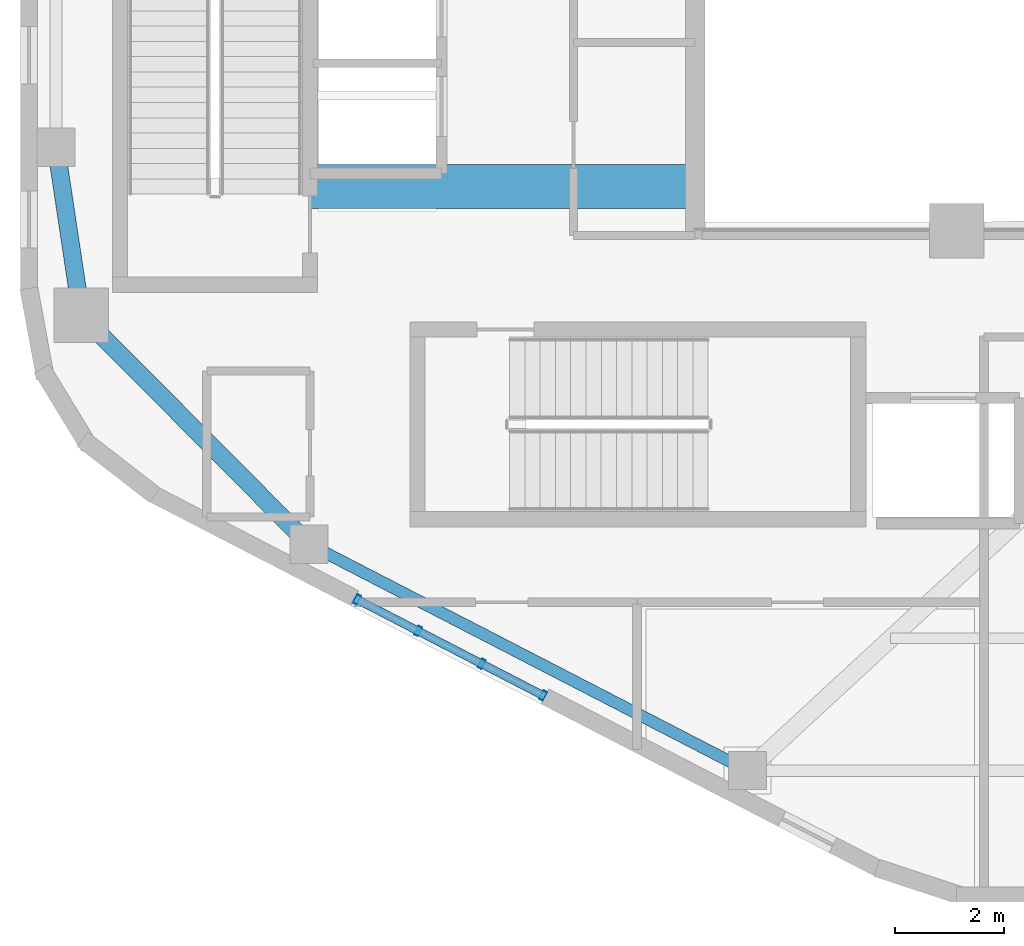
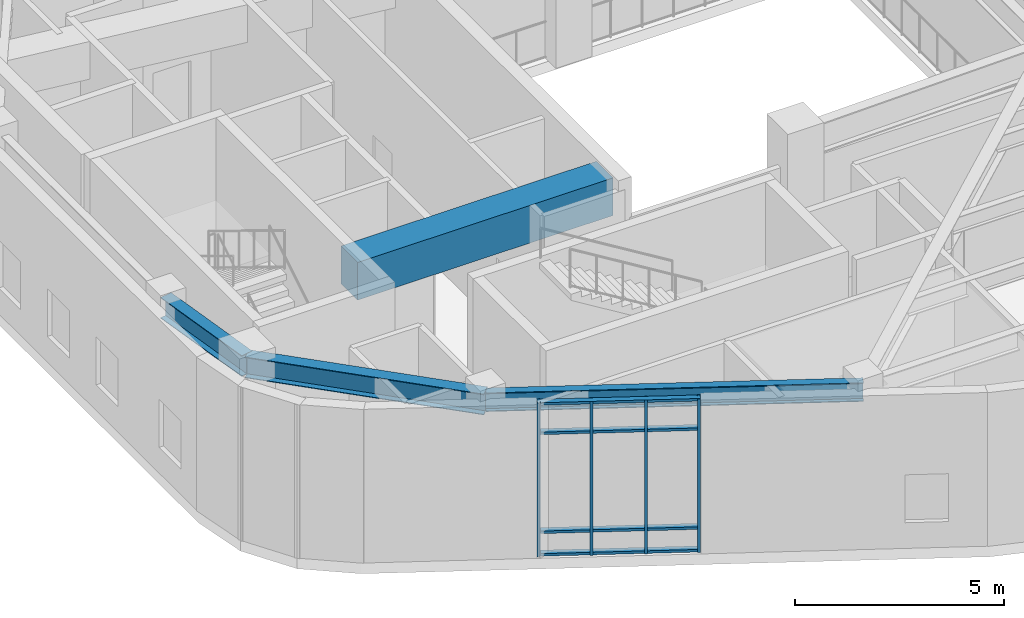
# One storey, part 2 of 18: 8 members, 4 beams, 1 element without a shape of its own.
"""IFC4 building model written with IfcOpenShell, lengths in metres."""

from ifc_helpers import new_model, si_unit, direction, frame, origin, origin_2d, place, context, subcontext, project, spatial, rectangle, hollow_rectangle, i_section, extrude, material, layer, layer_set, material_profile, profile_set, type_object, element, aggregate, save


model = new_model("IFC4")

# Units and contexts
model_context = context("Model", 3, precision=1e-05, world=origin(), true_north=direction((0.0, 1.0)))
body_context = subcontext(model_context, "Body", "Model", "MODEL_VIEW")
ifc_project = project(units=[si_unit("LENGTHUNIT", "METRE"), si_unit("AREAUNIT", "SQUARE_METRE"), si_unit("VOLUMEUNIT", "CUBIC_METRE"), si_unit("PLANEANGLEUNIT", "RADIAN"), si_unit("MASSUNIT", "GRAM", prefix="KILO"), si_unit("THERMODYNAMICTEMPERATUREUNIT", "KELVIN"), si_unit("POWERUNIT", "WATT")], contexts=[model_context])

# Site, building, storey
site_placement = place(None, origin())
site = spatial("IfcSite", under=ifc_project, at=site_placement, CompositionType="ELEMENT")
building_placement = place(site_placement, origin())
building = spatial("IfcBuilding", under=site, at=building_placement, Name="Skarre Station Tower", CompositionType="ELEMENT")
storey_placement = place(building_placement, frame((0.0, 0.0, 270.300048828125)))
storey = spatial("IfcBuildingStorey", under=building, at=storey_placement, Name="L74", CompositionType="ELEMENT", Elevation=270.300048828125)

# Curtain wall, members
ifc_material_1 = material(Name="Thermally Broken Bronze-Anodized Aluminium & Triple Low-E Glass", Category="aluminium")
ifc_layer = layer(ifc_material_1, 0.219970703125, Name="Thermally Broken Bronze-Anodized Aluminium & Triple Low-E Glass")
ifc_layer_set = layer_set([ifc_layer], Name="Thermally Broken Bronze-Anodized Aluminium & Triple Low-E Glass")
curtain_wall_type = type_object("IfcCurtainWallType", Name="Observation Deck Panorama Unitised Curtain Wall", PredefinedType="NOTDEFINED", material=ifc_layer_set)
curtain_wall_placement = place(storey_placement, origin())
curtain_wall = element("IfcCurtainWall", 1, at=curtain_wall_placement, inside=storey, type_object=curtain_wall_type, Name="L74 Facet 3 Observatory Curtain Wall", PredefinedType="NOTDEFINED")
ifc_material_2 = material(Name="Anodized Aluminium 6063-T6", Category="aluminium")
ifc_material_profile_1 = material_profile(ifc_material_2, hollow_rectangle(XDim=0.074951171875, YDim=0.14990234375, WallThickness=0.00390625, at=origin_2d()), Name="Anodized Aluminium 6063-T6")
ifc_profile_set_1 = profile_set([ifc_material_profile_1], Name="Anodized Aluminium 6063-T6")
member_type_1 = type_object("IfcMemberType", Name="Curtain-Wall Secondary Transom 150x75", PredefinedType="USERDEFINED", material=ifc_profile_set_1)
member_1_placement = place(storey_placement, frame((24.800048828125, 9.910888671875, 0.0400390625), z_axis=(-0.888483887895, 0.458907813128, 0.0), x_axis=(0.0, 0.0, 1.0)))
member_1 = element("IfcMember", 2, at=member_1_placement, type_object=member_type_1, Name="L74 Facet 3 Observatory Curtain Wall Transom 1", ObjectType="TRANSOM", PredefinedType="USERDEFINED", context=body_context, shape_type="SweptSolid", body=[
    extrude(hollow_rectangle(XDim=0.074951171875, YDim=0.14990234375, WallThickness=0.00390625, at=origin_2d()), origin(), (0.0, 0.0, 1.0), 3.92041015625),
])
member_2_placement = place(storey_placement, frame((24.800048828125, 9.910888671875, 0.699951171875), z_axis=(-0.888483887895, 0.458907813128, 0.0), x_axis=(0.0, 0.0, 1.0)))
member_2 = element("IfcMember", 3, at=member_2_placement, type_object=member_type_1, Name="L74 Facet 3 Observatory Curtain Wall Transom 2", ObjectType="TRANSOM", PredefinedType="USERDEFINED", context=body_context, shape_type="SweptSolid", body=[
    extrude(hollow_rectangle(XDim=0.074951171875, YDim=0.14990234375, WallThickness=0.00390625, at=origin_2d()), origin(), (0.0, 0.0, 1.0), 3.92041015625),
])
member_3_placement = place(storey_placement, frame((24.800048828125, 9.910888671875, 3.58984375), z_axis=(-0.888483887895, 0.458907813128, 0.0), x_axis=(0.0, 0.0, 1.0)))
member_3 = element("IfcMember", 4, at=member_3_placement, type_object=member_type_1, Name="L74 Facet 3 Observatory Curtain Wall Transom 3", ObjectType="TRANSOM", PredefinedType="USERDEFINED", context=body_context, shape_type="SweptSolid", body=[
    extrude(hollow_rectangle(XDim=0.074951171875, YDim=0.14990234375, WallThickness=0.00390625, at=origin_2d()), origin(), (0.0, 0.0, 1.0), 3.92041015625),
])
member_4_placement = place(storey_placement, frame((24.800048828125, 9.910888671875, 4.449951171875), z_axis=(-0.888483887895, 0.458907813128, 0.0), x_axis=(0.0, 0.0, 1.0)))
member_4 = element("IfcMember", 5, at=member_4_placement, type_object=member_type_1, Name="L74 Facet 3 Observatory Curtain Wall Transom 4", ObjectType="TRANSOM", PredefinedType="USERDEFINED", context=body_context, shape_type="SweptSolid", body=[
    extrude(hollow_rectangle(XDim=0.074951171875, YDim=0.14990234375, WallThickness=0.00390625, at=origin_2d()), origin(), (0.0, 0.0, 1.0), 3.92041015625),
])
ifc_material_profile_2 = material_profile(ifc_material_2, hollow_rectangle(XDim=0.074951171875, YDim=0.179931640625, WallThickness=0.00390625, at=origin_2d()), Name="Anodized Aluminium 6063-T6")
ifc_profile_set_2 = profile_set([ifc_material_profile_2], Name="Anodized Aluminium 6063-T6")
member_type_2 = type_object("IfcMemberType", Name="Curtain-Wall Unitised Tower Mullion 180x75", PredefinedType="MULLION", material=ifc_profile_set_2)
member_5_placement = place(storey_placement, frame((24.763916015625, 9.928955078125, 0.0), z_axis=(0.0, 0.0, 1.0), x_axis=(-0.88848110948, 0.458913192332, 0.0)))
member_5 = element("IfcMember", 6, at=member_5_placement, type_object=member_type_2, Name="L74 Facet 3 Observatory Curtain Wall Mullion 1", PredefinedType="MULLION", context=body_context, shape_type="SweptSolid", body=[
    extrude(hollow_rectangle(XDim=0.074951171875, YDim=0.179931640625, WallThickness=0.00390625, at=origin_2d()), origin(), (0.0, 0.0, 1.0), 4.489990234375),
])
member_6_placement = place(storey_placement, frame((23.638916015625, 10.510986328125, 0.0), z_axis=(0.0, 0.0, 1.0), x_axis=(-0.88848110948, 0.458913192332, 0.0)))
member_6 = element("IfcMember", 7, at=member_6_placement, type_object=member_type_2, Name="L74 Facet 3 Observatory Curtain Wall Mullion 2", PredefinedType="MULLION", context=body_context, shape_type="SweptSolid", body=[
    extrude(hollow_rectangle(XDim=0.074951171875, YDim=0.179931640625, WallThickness=0.00390625, at=origin_2d()), origin(), (0.0, 0.0, 1.0), 4.489990234375),
])
member_7_placement = place(storey_placement, frame((22.47802734375, 11.110107421875, 0.0), z_axis=(0.0, 0.0, 1.0), x_axis=(-0.88848110948, 0.458913192332, 0.0)))
member_7 = element("IfcMember", 8, at=member_7_placement, type_object=member_type_2, Name="L74 Facet 3 Observatory Curtain Wall Mullion 3", PredefinedType="MULLION", context=body_context, shape_type="SweptSolid", body=[
    extrude(hollow_rectangle(XDim=0.074951171875, YDim=0.179931640625, WallThickness=0.00390625, at=origin_2d()), origin(), (0.0, 0.0, 1.0), 4.489990234375),
])
member_8_placement = place(storey_placement, frame((21.35302734375, 11.69189453125, 0.0), z_axis=(0.0, 0.0, 1.0), x_axis=(-0.88848110948, 0.458913192332, 0.0)))
member_8 = element("IfcMember", 9, at=member_8_placement, type_object=member_type_2, Name="L74 Facet 3 Observatory Curtain Wall Mullion 4", PredefinedType="MULLION", context=body_context, shape_type="SweptSolid", body=[
    extrude(hollow_rectangle(XDim=0.074951171875, YDim=0.179931640625, WallThickness=0.00390625, at=origin_2d()), origin(), (0.0, 0.0, 1.0), 4.489990234375),
])
aggregate(curtain_wall, [member_5, member_6, member_7, member_8, member_1, member_2, member_3, member_4])

# Beams
ifc_material_3 = material(Name="Concrete C70/85", Category="concrete")
ifc_material_profile_3 = material_profile(ifc_material_3, rectangle(XDim=0.800048828125, YDim=1.10009765625, at=origin_2d()), Name="Concrete C70/85")
ifc_profile_set_3 = profile_set([ifc_material_profile_3], Name="Concrete C70/85")
beam_type_1 = type_object("IfcBeamType", Name="RC Core Coupling Lintel 800x1100", PredefinedType="LINTEL", material=ifc_profile_set_3)
beam_1_placement = place(storey_placement, frame((20.489990234375, 19.260009765625, 3.93994140625), z_axis=(1.0, 0.0, 0.0), x_axis=(0.0, 1.0, 0.0)))
element("IfcBeam", 10, at=beam_1_placement, inside=storey, type_object=beam_type_1, Name="L74 South Core Coupling Lintel", PredefinedType="LINTEL", context=body_context, shape_type="SweptSolid", body=[
    extrude(rectangle(XDim=0.800048828125, YDim=1.10009765625, at=origin_2d()), origin(), (0.0, 0.0, 1.0), 7.06005859375),
])
ifc_material_4 = material(Name="Steel ASTM A992 Grade 50", Category="steel")
ifc_material_profile_4 = material_profile(ifc_material_4, i_section(OverallWidth=0.323974609375, OverallDepth=0.611083984375, WebThickness=0.012939453125, FlangeThickness=0.01904296875, at=origin_2d()), Name="Steel ASTM A992 Grade 50")
ifc_profile_set_4 = profile_set([ifc_material_profile_4], Name="Steel ASTM A992 Grade 50")
beam_type_2 = type_object("IfcBeamType", Name="Steel Beam W24X104", PredefinedType="BEAM", material=ifc_profile_set_4)
beam_2_placement = place(storey_placement, frame((16.300048828125, 16.89990234375, 4.18505859375), z_axis=(-0.148739188492, 0.988876460336, 0.0), x_axis=(-0.988876460336, -0.148739188492, 0.0)))
element("IfcBeam", 11, at=beam_2_placement, inside=storey, type_object=beam_type_2, Name="L74 Radial Floor Girder F2C2", PredefinedType="BEAM", context=body_context, shape_type="SweptSolid", body=[
    extrude(i_section(OverallWidth=0.323974609375, OverallDepth=0.611083984375, WebThickness=0.012939453125, FlangeThickness=0.01904296875, at=origin_2d()), origin(), (0.0, 0.0, 1.0), 3.11376953125),
])
beam_3_placement = place(storey_placement, frame((16.300048828125, 16.89990234375, 4.18505859375), z_axis=(0.704979413242, -0.709227768002, 0.0), x_axis=(0.709227768002, 0.704979413242, 0.0)))
element("IfcBeam", 12, at=beam_3_placement, inside=storey, type_object=beam_type_2, Name="L74 Radial Floor Girder F3C1", PredefinedType="BEAM", context=body_context, shape_type="SweptSolid", body=[
    extrude(i_section(OverallWidth=0.323974609375, OverallDepth=0.611083984375, WebThickness=0.012939453125, FlangeThickness=0.01904296875, at=origin_2d()), origin(), (0.0, 0.0, 1.0), 5.919189453125),
])
ifc_material_profile_5 = material_profile(ifc_material_4, i_section(OverallWidth=0.214111328125, OverallDepth=0.549072265625, WebThickness=0.014892578125, FlangeThickness=0.02392578125, at=origin_2d()), Name="Steel ASTM A992 Grade 50")
ifc_profile_set_5 = profile_set([ifc_material_profile_5], Name="Steel ASTM A992 Grade 50")
beam_type_3 = type_object("IfcBeamType", Name="Steel Spandrel W21X93", PredefinedType="SPANDREL", material=ifc_profile_set_5)
beam_4_placement = place(storey_placement, frame((20.472900390625, 12.701904296875, 4.216064453125), z_axis=(0.888610011727, -0.458663544505, 0.0), x_axis=(0.458663544505, 0.888610011727, 0.0)))
element("IfcBeam", 13, at=beam_4_placement, inside=storey, type_object=beam_type_3, Name="L74 Facet Spandrel Beam 7", PredefinedType="SPANDREL", context=body_context, shape_type="SweptSolid", body=[
    extrude(i_section(OverallWidth=0.214111328125, OverallDepth=0.549072265625, WebThickness=0.014892578125, FlangeThickness=0.02392578125, at=origin_2d()), origin(), (0.0, 0.0, 1.0), 9.045654296875),
])

save(model, "model.ifc")
